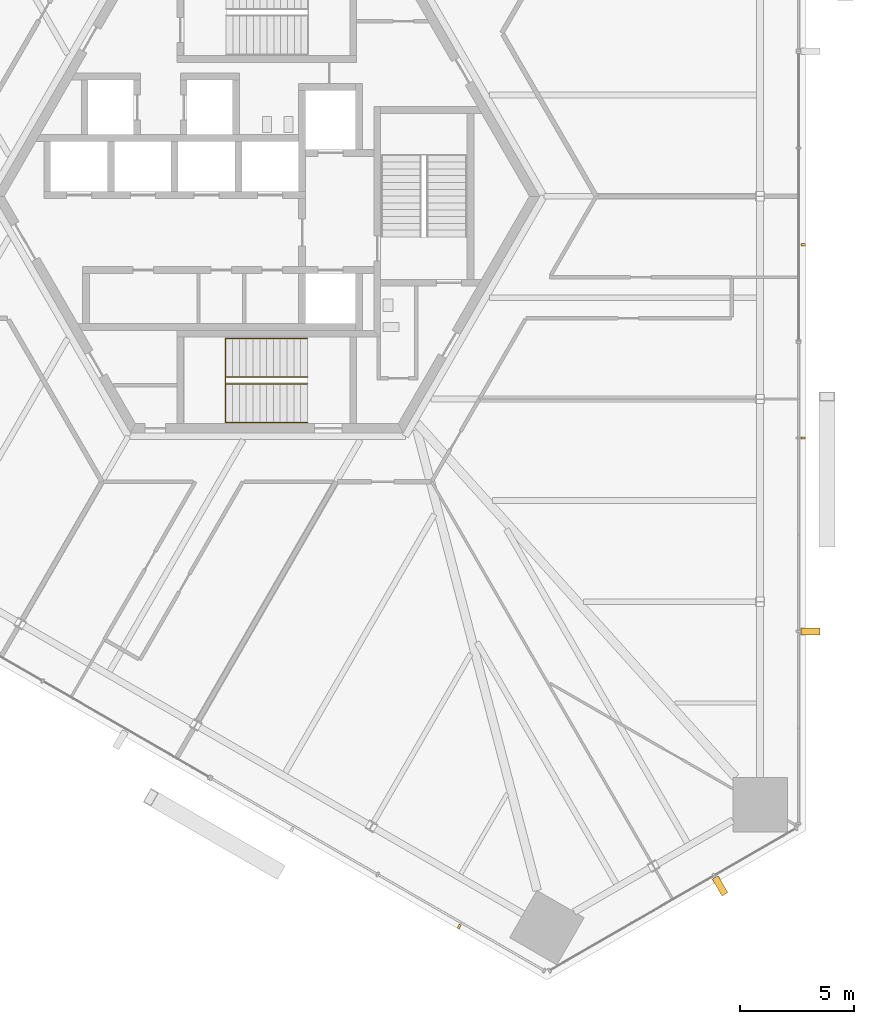
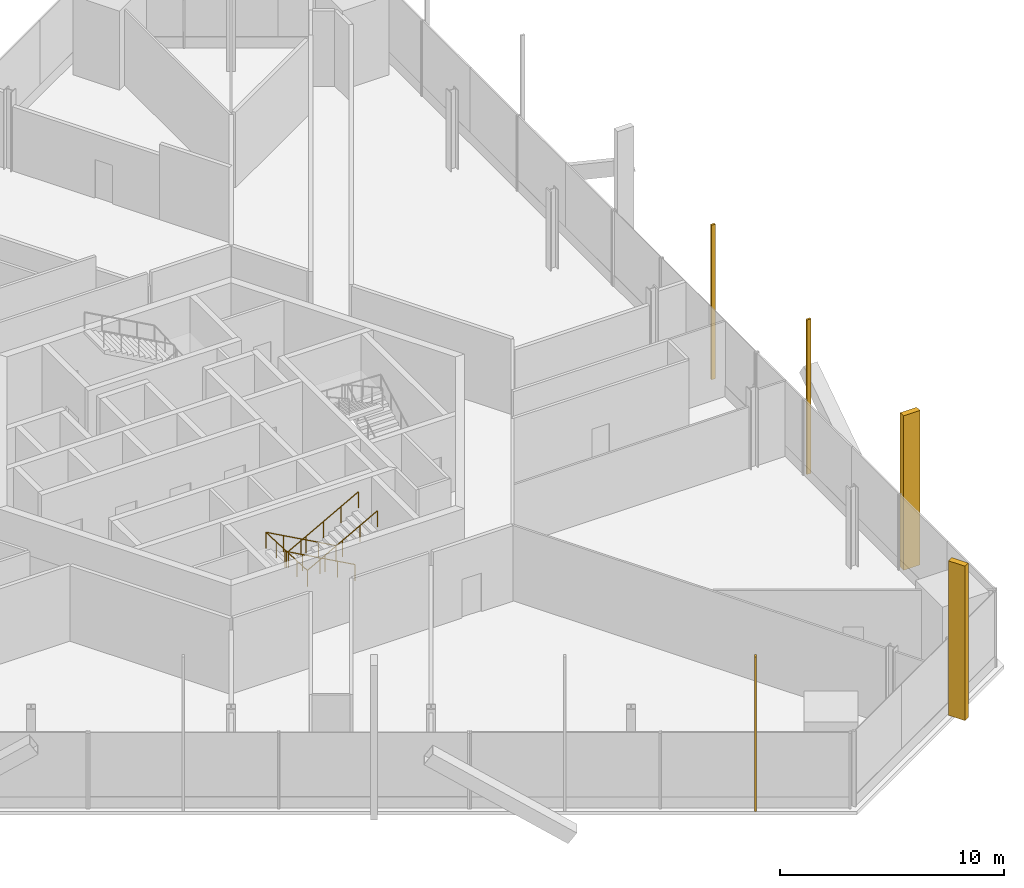
# One storey, part 16 of 19: 5 shading devices, 2 railings.
"""IFC4 building model written with IfcOpenShell, lengths in metres."""

from ifc_helpers import new_model, si_unit, direction, frame, origin, origin_2d, place, context, subcontext, project, spatial, rectangle, circle, extrude, source, transform, mapped, material, type_object, element, save


model = new_model("IFC4")

# Units and contexts
model_context = context("Model", 3, precision=1e-05, world=origin(), true_north=direction((0.0, 1.0)))
body_context = subcontext(model_context, "Body", "Model", "MODEL_VIEW")
ifc_project = project(units=[si_unit("LENGTHUNIT", "METRE"), si_unit("AREAUNIT", "SQUARE_METRE"), si_unit("VOLUMEUNIT", "CUBIC_METRE"), si_unit("PLANEANGLEUNIT", "RADIAN"), si_unit("MASSUNIT", "GRAM", prefix="KILO")], contexts=[model_context])

# Site, building, storey
site_placement = place(None, origin())
site = spatial("IfcSite", under=ifc_project, at=site_placement, CompositionType="ELEMENT")
building_placement = place(site_placement, origin())
building = spatial("IfcBuilding", under=site, at=building_placement, Name="Triune Harvest Tower", CompositionType="ELEMENT")
storey_placement = place(building_placement, frame((0.0, 0.0, 24.60009765625)))
storey = spatial("IfcBuildingStorey", under=building, at=storey_placement, Name="L05", CompositionType="ELEMENT", Elevation=24.60009765625)

# Railings
ifc_material_1 = material(Name="Stainless steel AISI 316", Category="steel")
railing_type = type_object("IfcRailingType", Name="Stair handrail", PredefinedType="HANDRAIL", material=ifc_material_1)
shared_shape_1 = source(origin(), body_context, "Body", "SweptSolid", [
    extrude(circle(Radius=0.02392578125, at=origin_2d()), frame((0.0, 0.0, 0.8759765625), z_axis=(-0.875746539262, 0.0, 0.482771166259), x_axis=(0.0, -1.0, 0.0)), (0.0, 0.0, 1.0), 4.11083984375),
    extrude(circle(Radius=0.02392578125, at=origin_2d()), frame((-3.60009765625, 0.0, 2.8603515625), z_axis=(0.0, -0.999003709343, 0.04462721948), x_axis=(1.0, 0.0, 0.0)), (0.0, 0.0, 1.0), 3.70361328125),
    extrude(circle(Radius=0.02392578125, at=origin_2d()), frame((-3.60009765625, -3.699951171875, 3.02587890625), z_axis=(0.875746539262, 0.0, 0.482771166259), x_axis=(0.0, 1.0, 0.0)), (0.0, 0.0, 1.0), 4.11083984375),
    extrude(circle(Radius=0.02099609375, at=origin_2d()), origin(), (0.0, 0.0, 1.0), 0.851806640625),
    extrude(circle(Radius=0.02099609375, at=origin_2d()), frame((-0.89990234375, 0.0, 0.49609375)), (0.0, 0.0, 1.0), 0.851806640625),
    extrude(circle(Radius=0.02099609375, at=origin_2d()), frame((-1.800048828125, 0.0, 0.9921875)), (0.0, 0.0, 1.0), 0.851806640625),
    extrude(circle(Radius=0.02099609375, at=origin_2d()), frame((-2.7001953125, 0.0, 1.488525390625)), (0.0, 0.0, 1.0), 0.851806640625),
    extrude(circle(Radius=0.02099609375, at=origin_2d()), frame((-3.60009765625, 0.0, 1.984619140625)), (0.0, 0.0, 1.0), 0.851806640625),
    extrude(circle(Radius=0.02099609375, at=origin_2d()), frame((-3.60009765625, -0.925048828125, 2.02587890625)), (0.0, 0.0, 1.0), 0.851806640625),
    extrude(circle(Radius=0.02099609375, at=origin_2d()), frame((-3.60009765625, -1.85009765625, 2.0673828125)), (0.0, 0.0, 1.0), 0.851806640625),
    extrude(circle(Radius=0.02099609375, at=origin_2d()), frame((-3.60009765625, -2.77490234375, 2.108642578125)), (0.0, 0.0, 1.0), 0.851806640625),
    extrude(circle(Radius=0.02099609375, at=origin_2d()), frame((-3.60009765625, -3.699951171875, 2.14990234375)), (0.0, 0.0, 1.0), 0.851806640625),
    extrude(circle(Radius=0.02099609375, at=origin_2d()), frame((-2.7001953125, -3.699951171875, 2.64599609375)), (0.0, 0.0, 1.0), 0.851806640625),
    extrude(circle(Radius=0.02099609375, at=origin_2d()), frame((-1.800048828125, -3.699951171875, 3.14208984375)), (0.0, 0.0, 1.0), 0.851806640625),
    extrude(circle(Radius=0.02099609375, at=origin_2d()), frame((-0.89990234375, -3.699951171875, 3.638427734375)), (0.0, 0.0, 1.0), 0.851806640625),
    extrude(circle(Radius=0.02099609375, at=origin_2d()), frame((0.0, -3.699951171875, 4.134521484375)), (0.0, 0.0, 1.0), 0.851806640625),
])
railing_1_placement = place(storey_placement, frame((1.7900390625, -6.239990234375, 0.165283203125)))
element("IfcRailing", 1, at=railing_1_placement, inside=storey, type_object=railing_type, Name="Exit stair south wall handrail", PredefinedType="HANDRAIL", context=body_context, shape_type="MappedRepresentation", body=[
    mapped(shared_shape_1, transform((0.0, 0.0, 0.0), scale=1.0)),
])
shared_shape_2 = source(origin(), body_context, "Body", "SweptSolid", [
    extrude(circle(Radius=0.02392578125, at=origin_2d()), frame((0.0, 0.0, 0.8759765625), z_axis=(-0.875746539262, 0.0, 0.482771166259), x_axis=(0.0, -1.0, 0.0)), (0.0, 0.0, 1.0), 4.11083984375),
    extrude(circle(Radius=0.02392578125, at=origin_2d()), frame((-3.60009765625, 0.0, 2.8603515625), z_axis=(0.0, -0.875899727824, 0.48249317798), x_axis=(1.0, 0.0, 0.0)), (0.0, 0.0, 1.0), 0.342529296875),
    extrude(circle(Radius=0.02392578125, at=origin_2d()), frame((-3.60009765625, -0.300048828125, 3.02587890625), z_axis=(0.875746539262, 0.0, 0.482771166259), x_axis=(0.0, 1.0, 0.0)), (0.0, 0.0, 1.0), 4.11083984375),
    extrude(circle(Radius=0.02099609375, at=origin_2d()), origin(), (0.0, 0.0, 1.0), 0.851806640625),
    extrude(circle(Radius=0.02099609375, at=origin_2d()), frame((-0.89990234375, 0.0, 0.49609375)), (0.0, 0.0, 1.0), 0.851806640625),
    extrude(circle(Radius=0.02099609375, at=origin_2d()), frame((-1.800048828125, 0.0, 0.9921875)), (0.0, 0.0, 1.0), 0.851806640625),
    extrude(circle(Radius=0.02099609375, at=origin_2d()), frame((-2.7001953125, 0.0, 1.488525390625)), (0.0, 0.0, 1.0), 0.851806640625),
    extrude(circle(Radius=0.02099609375, at=origin_2d()), frame((-3.60009765625, 0.0, 1.984619140625)), (0.0, 0.0, 1.0), 0.851806640625),
    extrude(circle(Radius=0.02099609375, at=origin_2d()), frame((-3.60009765625, -0.300048828125, 2.14990234375)), (0.0, 0.0, 1.0), 0.851806640625),
    extrude(circle(Radius=0.02099609375, at=origin_2d()), frame((-2.7001953125, -0.300048828125, 2.64599609375)), (0.0, 0.0, 1.0), 0.851806640625),
    extrude(circle(Radius=0.02099609375, at=origin_2d()), frame((-1.800048828125, -0.300048828125, 3.14208984375)), (0.0, 0.0, 1.0), 0.851806640625),
    extrude(circle(Radius=0.02099609375, at=origin_2d()), frame((-0.89990234375, -0.300048828125, 3.638427734375)), (0.0, 0.0, 1.0), 0.851806640625),
    extrude(circle(Radius=0.02099609375, at=origin_2d()), frame((0.0, -0.300048828125, 4.134521484375)), (0.0, 0.0, 1.0), 0.851806640625),
])
railing_2_placement = place(storey_placement, frame((1.7900390625, -7.93994140625, 0.165283203125)))
element("IfcRailing", 2, at=railing_2_placement, inside=storey, type_object=railing_type, Name="Exit stair south centre handrail", PredefinedType="HANDRAIL", context=body_context, shape_type="MappedRepresentation", body=[
    mapped(shared_shape_2, transform((0.0, 0.0, 0.0), scale=1.0)),
])

# Shading devices
ifc_material_2 = material(Name="Aluminium bronze anodised", Category="aluminium")
shared_shape_3 = source(origin(), body_context, "Body", "SweptSolid", [
    extrude(rectangle(XDim=0.10009765625, YDim=0.199951171875, at=origin_2d()), origin(), (0.0, 0.0, 1.0), 8.39990234375),
])
for number, where, z_axis, x_axis, name in (
    (3, (23.5712890625, -10.621826171875, 0.0), (0.0, 0.0, 1.0), (0.0, 1.0, 0.0), "FN-1 fin B1-F1.5 L05"),
    (4, (23.5712890625, -2.124267578125, 0.0), (0.0, 0.0, 1.0), (0.0, 1.0, 0.0), "FN-1 fin B1-F1.7 L05"),
    (5, (8.45166015625, -32.097412109375, 0.0), (0.0, 0.0, 1.0), (0.866025470037, -0.499999885247, 0.0), "FN-1 fin B1-F5.13 L05"),
):
    element("IfcShadingDevice", number, at=place(storey_placement, frame(where, z_axis=z_axis, x_axis=x_axis)), inside=storey, material=ifc_material_2, Name=name, ObjectType="FIN", PredefinedType="USERDEFINED", context=body_context, shape_type="MappedRepresentation", body=[
        mapped(shared_shape_3, transform((0.0, 0.0, 0.0), scale=1.0)),
    ])
shared_shape_4 = source(origin(), body_context, "Body", "SweptSolid", [
    extrude(rectangle(XDim=0.300048828125, YDim=0.85009765625, at=origin_2d()), origin(), (0.0, 0.0, 1.0), 8.39990234375),
])
for number, where, z_axis, x_axis, name in (
    (6, (23.896484375, -19.119384765625, 0.0), (0.0, 0.0, 1.0), (0.0, 1.0, 0.0), "FN-2 fin B1-F1.3 L05"),
    (7, (19.92041015625, -30.305419921875, 0.0), (0.0, 0.0, 1.0), (0.866026145592, 0.499998715149, 0.0), "FN-2 fin B1-F6.3 L05"),
):
    element("IfcShadingDevice", number, at=place(storey_placement, frame(where, z_axis=z_axis, x_axis=x_axis)), inside=storey, material=ifc_material_2, Name=name, ObjectType="FIN", PredefinedType="USERDEFINED", context=body_context, shape_type="MappedRepresentation", body=[
        mapped(shared_shape_4, transform((0.0, 0.0, 0.0), scale=1.0)),
    ])

save(model, "model.ifc")
